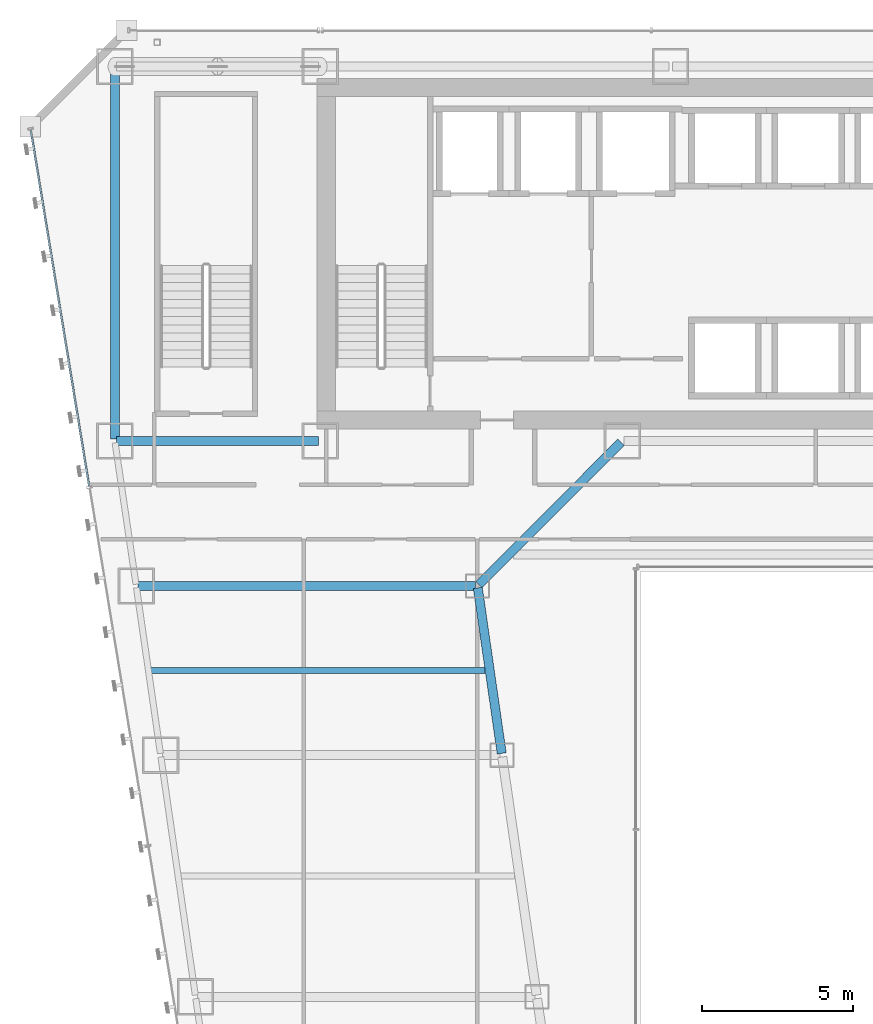
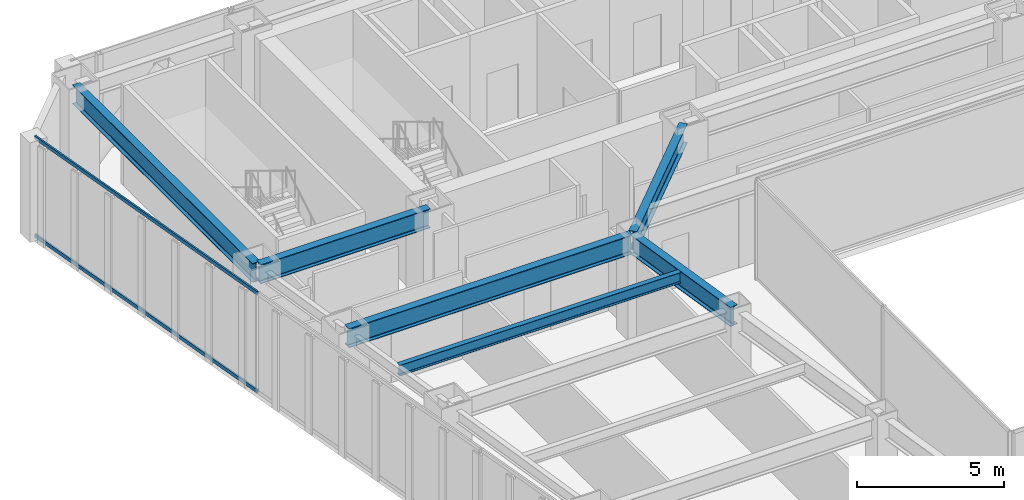
# One storey, part 23 of 47: 6 beams, 2 members, 1 element without a shape of its own.
"""IFC4 building model written with IfcOpenShell, lengths in metres."""

from ifc_helpers import new_model, si_unit, direction, frame, origin, origin_2d, place, context, subcontext, project, spatial, hollow_rectangle, i_section, extrude, material, material_profile, profile_set, type_object, element, aggregate, save


model = new_model("IFC4")

# Units and contexts
model_context = context("Model", 3, precision=1e-05, world=origin(), true_north=direction((0.0, 1.0)))
body_context = subcontext(model_context, "Body", "Model", "MODEL_VIEW")
ifc_project = project(units=[si_unit("LENGTHUNIT", "METRE"), si_unit("AREAUNIT", "SQUARE_METRE"), si_unit("VOLUMEUNIT", "CUBIC_METRE"), si_unit("PLANEANGLEUNIT", "RADIAN"), si_unit("MASSUNIT", "GRAM", prefix="KILO")], contexts=[model_context])

# Site, building, storey
site_placement = place(None, origin())
site = spatial("IfcSite", under=ifc_project, at=site_placement, CompositionType="ELEMENT")
building_placement = place(site_placement, origin())
building = spatial("IfcBuilding", under=site, at=building_placement, Name="Saevonmaru Cultural Tower", CompositionType="ELEMENT")
storey_placement = place(building_placement, frame((0.0, 0.0, 42.800048828125)))
storey = spatial("IfcBuildingStorey", under=building, at=storey_placement, Name="L08", CompositionType="ELEMENT", Elevation=42.800048828125)

# Beams
ifc_material_1 = material(Name="Steel SM420", Category="steel")
ifc_material_profile_1 = material_profile(ifc_material_1, i_section(OverallWidth=0.300048828125, OverallDepth=0.800048828125, WebThickness=0.013916015625, FlangeThickness=0.02587890625, FilletRadius=0.028076171875, at=origin_2d()), Name="H-800x300x14x26")
ifc_profile_set_1 = profile_set([ifc_material_profile_1], Name="Steel SM420")
beam_type_1 = type_object("IfcBeamType", Name="BM-G-H800", PredefinedType="BEAM", material=ifc_profile_set_1)
beam_1_placement = place(storey_placement, frame((6.860107421875, 42.39990234375, 3.75), z_axis=(1.0, 0.0, 0.0), x_axis=(0.0, 1.0, 0.0)))
element("IfcBeam", 1, at=beam_1_placement, inside=storey, type_object=beam_type_1, Name="L08 Core South Girder 1", PredefinedType="BEAM", context=body_context, shape_type="SweptSolid", body=[
    extrude(i_section(OverallWidth=0.300048828125, OverallDepth=0.800048828125, WebThickness=0.013916015625, FlangeThickness=0.02587890625, FilletRadius=0.028076171875, at=origin_2d()), origin(), (0.0, 0.0, 1.0), 6.679931640625),
])
beam_2_placement = place(storey_placement, frame((6.800048828125, 54.739990234375, 3.75), z_axis=(0.0, -1.0, 0.0), x_axis=(1.0, 0.0, 0.0)))
element("IfcBeam", 2, at=beam_2_placement, inside=storey, type_object=beam_type_1, Name="L08 Spine Transverse Girder W", PredefinedType="BEAM", context=body_context, shape_type="SweptSolid", body=[
    extrude(i_section(OverallWidth=0.300048828125, OverallDepth=0.800048828125, WebThickness=0.013916015625, FlangeThickness=0.02587890625, FilletRadius=0.028076171875, at=origin_2d()), origin(), (0.0, 0.0, 1.0), 12.280029296875),
])
beam_3_placement = place(storey_placement, frame((19.6083984375, 32.059326171875, 3.75), z_axis=(-0.142964121327, 0.989727871697, 0.0), x_axis=(-0.989727871697, -0.142964121327, 0.0)))
element("IfcBeam", 3, at=beam_3_placement, inside=storey, type_object=beam_type_1, Name="L08 West Atrium Girder 5", PredefinedType="BEAM", context=body_context, shape_type="SweptSolid", body=[
    extrude(i_section(OverallWidth=0.300048828125, OverallDepth=0.800048828125, WebThickness=0.013916015625, FlangeThickness=0.02587890625, FilletRadius=0.028076171875, at=origin_2d()), origin(), (0.0, 0.0, 1.0), 5.5380859375),
])
beam_4_placement = place(storey_placement, frame((18.850341796875, 37.642578125, 3.75), z_axis=(0.706538566564, 0.707674539572, 0.0), x_axis=(-0.707674539572, 0.706538566564, 0.0)))
element("IfcBeam", 4, at=beam_4_placement, inside=storey, type_object=beam_type_1, Name="L08 West Atrium Girder 6", PredefinedType="BEAM", context=body_context, shape_type="SweptSolid", body=[
    extrude(i_section(OverallWidth=0.300048828125, OverallDepth=0.800048828125, WebThickness=0.013916015625, FlangeThickness=0.02587890625, FilletRadius=0.028076171875, at=origin_2d()), origin(), (0.0, 0.0, 1.0), 6.662353515625),
])
beam_5_placement = place(storey_placement, frame((7.568115234375, 37.60009765625, 3.75), z_axis=(1.0, 0.0, 0.0), x_axis=(0.0, 1.0, 0.0)))
element("IfcBeam", 5, at=beam_5_placement, inside=storey, type_object=beam_type_1, Name="L08 West Wing Transverse Girder 6", PredefinedType="BEAM", context=body_context, shape_type="SweptSolid", body=[
    extrude(i_section(OverallWidth=0.300048828125, OverallDepth=0.800048828125, WebThickness=0.013916015625, FlangeThickness=0.02587890625, FilletRadius=0.028076171875, at=origin_2d()), origin(), (0.0, 0.0, 1.0), 11.179931640625),
])
ifc_material_2 = material(Name="Steel SM355", Category="steel")
ifc_material_profile_2 = material_profile(ifc_material_2, i_section(OverallWidth=0.199951171875, OverallDepth=0.449951171875, WebThickness=0.009033203125, FlangeThickness=0.013916015625, FilletRadius=0.01806640625, at=origin_2d()), Name="H-450x200x9x14")
ifc_profile_set_2 = profile_set([ifc_material_profile_2], Name="Steel SM355")
beam_type_2 = type_object("IfcBeamType", Name="BM-J-H450", PredefinedType="JOIST", material=ifc_profile_set_2)
beam_6_placement = place(storey_placement, frame((7.972412109375, 34.800048828125, 3.925048828125), z_axis=(1.0, 0.0, 0.0), x_axis=(0.0, 1.0, 0.0)))
element("IfcBeam", 6, at=beam_6_placement, inside=storey, type_object=beam_type_2, Name="L08 West Wing Floor Joist 5", PredefinedType="JOIST", context=body_context, shape_type="SweptSolid", body=[
    extrude(i_section(OverallWidth=0.199951171875, OverallDepth=0.449951171875, WebThickness=0.009033203125, FlangeThickness=0.013916015625, FilletRadius=0.01806640625, at=origin_2d()), origin(), (0.0, 0.0, 1.0), 11.08203125),
])

# Curtain wall, members
ifc_material_3 = material(Name="Satin Bronze Anodised Aluminium", Category="aluminium")
curtain_wall_type = type_object("IfcCurtainWallType", Name="CW-TYP-A", PredefinedType="NOTDEFINED", material=ifc_material_3)
curtain_wall_placement = place(storey_placement, origin())
curtain_wall = element("IfcCurtainWall", 7, at=curtain_wall_placement, inside=storey, type_object=curtain_wall_type, Name="L08 Unitised Curtain Wall E12", PredefinedType="NOTDEFINED")
ifc_material_profile_3 = material_profile(ifc_material_3, hollow_rectangle(XDim=0.06494140625, YDim=0.14990234375, WallThickness=0.00390625, at=origin_2d()), Name="ALU-TRAN-150x65x4")
ifc_profile_set_3 = profile_set([ifc_material_profile_3], Name="Satin Bronze Anodised Aluminium")
member_type = type_object("IfcMemberType", Name="TR-CW-150x65", PredefinedType="USERDEFINED", material=ifc_profile_set_3)
member_1_placement = place(storey_placement, frame((4.014892578125, 52.708740234375, 0.032470703125), z_axis=(0.161724530373, -0.986835941925, 0.0), x_axis=(0.986835941925, 0.161724530373, 0.0)))
member_1 = element("IfcMember", 8, at=member_1_placement, type_object=member_type, Name="CW-TW-L08-E12 transom 1.1", ObjectType="TRANSOM", PredefinedType="USERDEFINED", context=body_context, shape_type="SweptSolid", body=[
    extrude(hollow_rectangle(XDim=0.06494140625, YDim=0.14990234375, WallThickness=0.00390625, at=origin_2d()), origin(), (0.0, 0.0, 1.0), 11.963623046875),
])
member_2_placement = place(storey_placement, frame((4.014892578125, 52.708740234375, 4.117431640625), z_axis=(0.161724530373, -0.986835941925, 0.0), x_axis=(0.986835941925, 0.161724530373, 0.0)))
member_2 = element("IfcMember", 9, at=member_2_placement, type_object=member_type, Name="CW-TW-L08-E12 transom 1.2", ObjectType="TRANSOM", PredefinedType="USERDEFINED", context=body_context, shape_type="SweptSolid", body=[
    extrude(hollow_rectangle(XDim=0.06494140625, YDim=0.14990234375, WallThickness=0.00390625, at=origin_2d()), origin(), (0.0, 0.0, 1.0), 11.963623046875),
])
aggregate(curtain_wall, [member_1, member_2])

save(model, "model.ifc")
